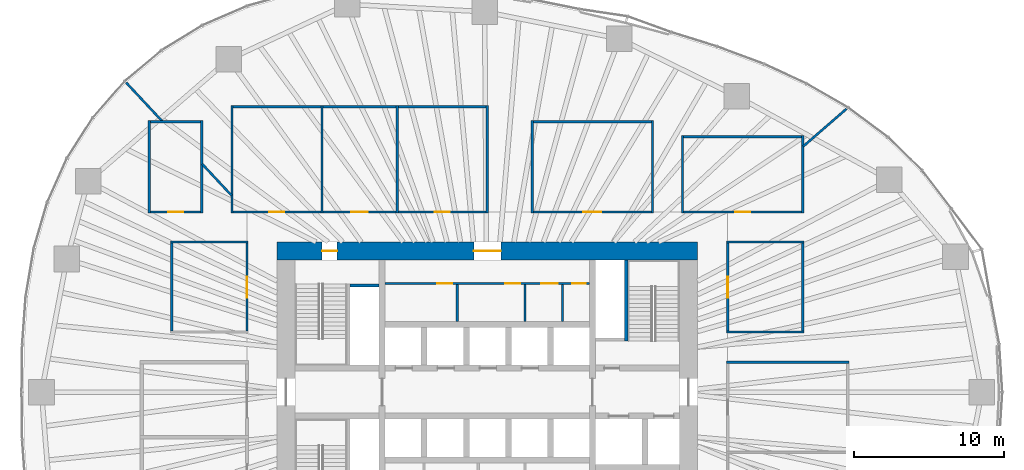
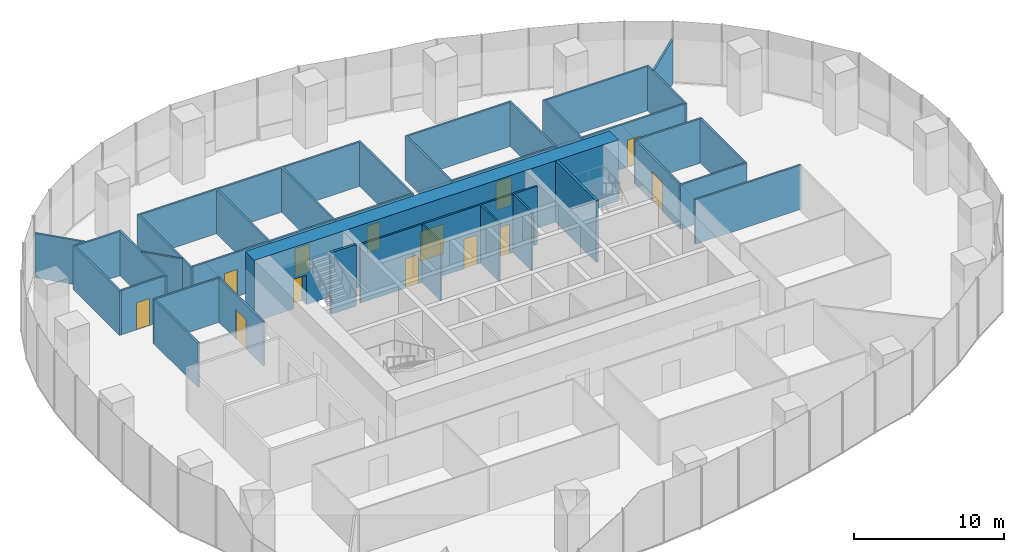
# One storey, part 11 of 20: 40 walls, 14 doors, 14 openings.
"""IFC4 building model written with IfcOpenShell, lengths in metres."""

from ifc_helpers import new_model, si_unit, direction, frame, frame_2d, origin, place, context, subcontext, project, spatial, rectangle, extrude, material, layer, layer_set, type_object, element, fill, save


model = new_model("IFC4")

# Units and contexts
model_context = context("Model", 3, precision=1e-05, world=origin(), true_north=direction((0.0, 1.0)))
body_context = subcontext(model_context, "Body", "Model", "MODEL_VIEW")
ifc_project = project(units=[si_unit("LENGTHUNIT", "METRE"), si_unit("AREAUNIT", "SQUARE_METRE"), si_unit("VOLUMEUNIT", "CUBIC_METRE"), si_unit("PLANEANGLEUNIT", "RADIAN"), si_unit("MASSUNIT", "GRAM", prefix="KILO")], contexts=[model_context])

# Site, building, storey
site_placement = place(None, origin())
site = spatial("IfcSite", under=ifc_project, at=site_placement, CompositionType="ELEMENT")
building_placement = place(site_placement, origin())
building = spatial("IfcBuilding", under=site, at=building_placement, Name="Ghaith Harvest Tower", CompositionType="ELEMENT")
storey_placement = place(building_placement, frame((0.0, 0.0, 85.0)))
storey = spatial("IfcBuildingStorey", under=building, at=storey_placement, Name="L17", CompositionType="ELEMENT", Elevation=85.0)

# Wall, openings, doors
ifc_material_1 = material(Name="Concrete blockwork, fair-faced", Category="masonry")
ifc_layer_1 = layer(ifc_material_1, 0.139892578125)
ifc_layer_set_1 = layer_set([ifc_layer_1], Name="CORE PARTITION 140")
wall_type_1 = type_object("IfcWallType", Name="CORE PARTITION 140", PredefinedType="PARTITIONING", material=ifc_layer_set_1)
wall_1_placement = place(storey_placement, frame((-6.800048828125, 7.22998046875, 0.0), z_axis=(0.0, 0.0, 1.0), x_axis=(1.0, 0.0, 0.0)))
wall_1 = element("IfcWall", 1, at=wall_1_placement, inside=storey, type_object=wall_type_1, Name="Core partition L17", PredefinedType="PARTITIONING", context=body_context, shape_type="SweptSolid", body=[
    extrude(rectangle(XDim=13.60009765625, YDim=0.139892578125, at=frame_2d((6.800048828125, 0.0))), origin(), (0.0, 0.0, 1.0), 4.75),
])
opening_1_placement = place(wall_1_placement, frame((3.47998046875, 0.0, 0.0)))
opening_1 = element("IfcOpeningElement", 2, at=opening_1_placement, cuts=wall_1, Name="Opening 17-008", PredefinedType="OPENING", context=body_context, shape_type="SweptSolid", body=[
    extrude(rectangle(XDim=1.0, YDim=2.39990234375, at=frame_2d((0.5, 1.199951171875))), frame((0.0, 0.080078125, 0.0), z_axis=(0.0, -1.0, 0.0), x_axis=(1.0, 0.0, 0.0)), (0.0, 0.0, 1.0), 0.159912109375),
])
opening_2_placement = place(wall_1_placement, frame((7.97998046875, 0.0, 0.0)))
opening_2 = element("IfcOpeningElement", 3, at=opening_2_placement, cuts=wall_1, Name="Opening 17-009", PredefinedType="OPENING", context=body_context, shape_type="SweptSolid", body=[
    extrude(rectangle(XDim=1.0, YDim=2.39990234375, at=frame_2d((0.5, 1.199951171875))), frame((0.0, 0.080078125, 0.0), z_axis=(0.0, -1.0, 0.0), x_axis=(1.0, 0.0, 0.0)), (0.0, 0.0, 1.0), 0.159912109375),
])
opening_3_placement = place(wall_1_placement, frame((10.3798828125, 0.0, 0.0)))
opening_3 = element("IfcOpeningElement", 4, at=opening_3_placement, cuts=wall_1, Name="Opening 17-010", PredefinedType="OPENING", context=body_context, shape_type="SweptSolid", body=[
    extrude(rectangle(XDim=1.10009765625, YDim=2.39990234375, at=frame_2d((0.550048828125, 1.199951171875))), frame((0.0, 0.080078125, 0.0), z_axis=(0.0, -1.0, 0.0), x_axis=(1.0, 0.0, 0.0)), (0.0, 0.0, 1.0), 0.159912109375),
])
opening_4_placement = place(wall_1_placement, frame((12.449951171875, 0.0, 0.0)))
opening_4 = element("IfcOpeningElement", 5, at=opening_4_placement, cuts=wall_1, Name="Opening 17-011", PredefinedType="OPENING", context=body_context, shape_type="SweptSolid", body=[
    extrude(rectangle(XDim=0.89990234375, YDim=2.39990234375, at=frame_2d((0.449951171875, 1.199951171875))), frame((0.0, 0.080078125, 0.0), z_axis=(0.0, -1.0, 0.0), x_axis=(1.0, 0.0, 0.0)), (0.0, 0.0, 1.0), 0.159912109375),
])
ifc_material_2 = material(Name="Steel fire door", Category="steel")
door_type_1 = type_object("IfcDoorType", Name="D3 FD90 1000x2400", OperationType="SINGLE_SWING_LEFT", PredefinedType="DOOR", material=ifc_material_2)
door_1_placement = place(opening_1_placement, origin())
door_1 = element("IfcDoor", 6, at=door_1_placement, inside=storey, type_object=door_type_1, Name="Male WC door", OperationType="SINGLE_SWING_LEFT", OverallHeight=2.39990234375, OverallWidth=1.0, PredefinedType="DOOR", context=body_context, shape_type="SweptSolid", body=[
    extrude(rectangle(XDim=1.0, YDim=2.39990234375, at=frame_2d((0.5, 1.199951171875))), frame((0.0, 0.02490234375, 0.0), z_axis=(0.0, -1.0, 0.0), x_axis=(1.0, 0.0, 0.0)), (0.0, 0.0, 1.0), 0.050048828125),
])
fill(opening_1, door_1)
door_2_placement = place(opening_2_placement, origin())
door_2 = element("IfcDoor", 7, at=door_2_placement, inside=storey, type_object=door_type_1, Name="Female WC door", OperationType="SINGLE_SWING_RIGHT", OverallHeight=2.39990234375, OverallWidth=1.0, PredefinedType="DOOR", context=body_context, shape_type="SweptSolid", body=[
    extrude(rectangle(XDim=1.0, YDim=2.39990234375, at=frame_2d((0.5, 1.199951171875))), frame((0.0, 0.02490234375, 0.0), z_axis=(0.0, -1.0, 0.0), x_axis=(1.0, 0.0, 0.0)), (0.0, 0.0, 1.0), 0.050048828125),
])
fill(opening_2, door_2)
ifc_material_3 = material(Name="Steel fire door", Category="steel")
door_type_2 = type_object("IfcDoorType", Name="D5 FD90 900x2400", OperationType="SINGLE_SWING_LEFT", PredefinedType="DOOR", material=ifc_material_3)
door_3_placement = place(opening_4_placement, origin())
door_3 = element("IfcDoor", 8, at=door_3_placement, inside=storey, type_object=door_type_2, Name="Cleaner's store door", OperationType="SINGLE_SWING_RIGHT", OverallHeight=2.39990234375, OverallWidth=0.89990234375, PredefinedType="DOOR", context=body_context, shape_type="SweptSolid", body=[
    extrude(rectangle(XDim=0.89990234375, YDim=2.39990234375, at=frame_2d((0.449951171875, 1.199951171875))), frame((0.0, 0.02490234375, 0.0), z_axis=(0.0, -1.0, 0.0), x_axis=(1.0, 0.0, 0.0)), (0.0, 0.0, 1.0), 0.050048828125),
])
fill(opening_4, door_3)
ifc_material_4 = material(Name="Steel fire door", Category="steel")
door_type_3 = type_object("IfcDoorType", Name="D9 FD90 1100x2400", OperationType="SINGLE_SWING_LEFT", PredefinedType="DOOR", material=ifc_material_4)
door_4_placement = place(opening_3_placement, origin())
door_4 = element("IfcDoor", 9, at=door_4_placement, inside=storey, type_object=door_type_3, Name="Accessible WC door", OperationType="SINGLE_SWING_RIGHT", OverallHeight=2.39990234375, OverallWidth=1.10009765625, PredefinedType="DOOR", context=body_context, shape_type="SweptSolid", body=[
    extrude(rectangle(XDim=1.10009765625, YDim=2.39990234375, at=frame_2d((0.550048828125, 1.199951171875))), frame((0.0, 0.02490234375, 0.0), z_axis=(0.0, -1.0, 0.0), x_axis=(1.0, 0.0, 0.0)), (0.0, 0.0, 1.0), 0.050048828125),
])
fill(opening_3, door_4)

# Walls
for number, where, z_axis, x_axis, name in (
    (10, (-2.0, 4.699951171875, 0.0), (0.0, 0.0, 1.0), (0.0, 1.0, 0.0), "Core partition L17"),
    (11, (2.5, 4.699951171875, 0.0), (0.0, 0.0, 1.0), (0.0, 1.0, 0.0), "Core partition L17"),
    (12, (5.0, 4.699951171875, 0.0), (0.0, 0.0, 1.0), (0.0, 1.0, 0.0), "Core partition L17"),
):
    element("IfcWall", number, at=place(storey_placement, frame(where, z_axis=z_axis, x_axis=x_axis)), inside=storey, type_object=wall_type_1, Name=name, PredefinedType="PARTITIONING", context=body_context, shape_type="SweptSolid", body=[
        extrude(rectangle(XDim=2.4599609375, YDim=0.139892578125, at=frame_2d((1.22998046875, 0.0))), origin(), (0.0, 0.0, 1.0), 4.75),
    ])

# Wall, openings, doors
ifc_material_5 = material(Name="Concrete C70/85", Category="concrete")
ifc_layer_2 = layer(ifc_material_5, 1.199951171875)
ifc_layer_set_2 = layer_set([ifc_layer_2], Name="CORE WALL CW1200")
wall_type_2 = type_object("IfcWallType", Name="CORE WALL CW1200", PredefinedType="SHEAR", material=ifc_layer_set_2)
wall_2_placement = place(storey_placement, frame((14.0, 9.39990234375, 0.0), z_axis=(0.0, 0.0, 1.0), x_axis=(-1.0, 0.0, 0.0)))
wall_2 = element("IfcWall", 13, at=wall_2_placement, inside=storey, type_object=wall_type_2, Name="Core wall N L17", PredefinedType="SHEAR", context=body_context, shape_type="SweptSolid", body=[
    extrude(rectangle(XDim=28.0, YDim=1.199951171875, at=frame_2d((14.0, 0.0))), origin(), (0.0, 0.0, 1.0), 5.0),
])
opening_5_placement = place(wall_2_placement, frame((24.0, 0.0, 0.0)))
opening_5 = element("IfcOpeningElement", 14, at=opening_5_placement, cuts=wall_2, Name="Opening 17-005", PredefinedType="OPENING", context=body_context, shape_type="SweptSolid", body=[
    extrude(rectangle(XDim=1.0, YDim=2.39990234375, at=frame_2d((0.5, 1.199951171875))), frame((0.0, 0.60986328125, 0.0), z_axis=(0.0, -1.0, 0.0), x_axis=(1.0, 0.0, 0.0)), (0.0, 0.0, 1.0), 1.219970703125),
])
opening_6_placement = place(wall_2_placement, frame((13.10009765625, 0.0, 0.0)))
opening_6 = element("IfcOpeningElement", 15, at=opening_6_placement, cuts=wall_2, Name="Opening 17-016", PredefinedType="OPENING", context=body_context, shape_type="SweptSolid", body=[
    extrude(rectangle(XDim=1.800048828125, YDim=2.39990234375, at=frame_2d((0.89990234375, 1.199951171875))), frame((0.0, 0.60986328125, 0.0), z_axis=(0.0, -1.0, 0.0), x_axis=(1.0, 0.0, 0.0)), (0.0, 0.0, 1.0), 1.219970703125),
])
door_5_placement = place(opening_5_placement, origin())
door_5 = element("IfcDoor", 16, at=door_5_placement, inside=storey, type_object=door_type_1, Name="Stair ST1 door", OperationType="SINGLE_SWING_RIGHT", OverallHeight=2.39990234375, OverallWidth=1.0, PredefinedType="DOOR", context=body_context, shape_type="SweptSolid", body=[
    extrude(rectangle(XDim=1.0, YDim=2.39990234375, at=frame_2d((0.5, 1.199951171875))), frame((0.0, 0.02490234375, 0.0), z_axis=(0.0, -1.0, 0.0), x_axis=(1.0, 0.0, 0.0)), (0.0, 0.0, 1.0), 0.050048828125),
])
fill(opening_5, door_5)
ifc_material_6 = material(Name="Steel fire door", Category="steel")
door_type_4 = type_object("IfcDoorType", Name="D4 FD90 PAIR 1800x2400", OperationType="DOUBLE_DOOR_SINGLE_SWING", PredefinedType="DOOR", material=ifc_material_6)
door_6_placement = place(opening_6_placement, origin())
door_6 = element("IfcDoor", 17, at=door_6_placement, inside=storey, type_object=door_type_4, Name="Core service corridor doors", OperationType="DOUBLE_DOOR_SINGLE_SWING", OverallHeight=2.39990234375, OverallWidth=1.800048828125, PredefinedType="DOOR", context=body_context, shape_type="SweptSolid", body=[
    extrude(rectangle(XDim=1.800048828125, YDim=2.39990234375, at=frame_2d((0.89990234375, 1.199951171875))), frame((0.0, 0.02490234375, 0.0), z_axis=(0.0, -1.0, 0.0), x_axis=(1.0, 0.0, 0.0)), (0.0, 0.0, 1.0), 0.050048828125),
])
fill(opening_6, door_6)

# Walls
ifc_material_7 = material(Name="Gypsum board on steel studs", Category="steel")
ifc_layer_3 = layer(ifc_material_7, 0.14990234375)
ifc_layer_set_3 = layer_set([ifc_layer_3], Name="PARTITION 150")
wall_type_3 = type_object("IfcWallType", Name="PARTITION 150", PredefinedType="PARTITIONING", material=ifc_layer_set_3)
wall_3_placement = place(storey_placement, frame((15.925048828125, 2.0, 0.0), z_axis=(0.0, 0.0, 1.0), x_axis=(1.0, 0.0, 0.0)))
element("IfcWall", 18, at=wall_3_placement, inside=storey, type_object=wall_type_3, Name="Partition L17 row E3 cross wall 3", PredefinedType="PARTITIONING", context=body_context, shape_type="SweptSolid", body=[
    extrude(rectangle(XDim=8.14990234375, YDim=0.14990234375, at=frame_2d((4.074951171875, 0.0))), origin(), (0.0, 0.0, 1.0), 3.60009765625),
])
for number, where, z_axis, x_axis, name in (
    (19, (-17.0, 11.925048828125, 0.0), (0.0, 0.0, 1.0), (0.0, 1.0, 0.0), "Partition L17 row N4 cross wall 1"),
    (20, (-11.0, 11.925048828125, 0.0), (0.0, 0.0, 1.0), (0.0, 1.0, 0.0), "Partition L17 row N4 cross wall 2"),
    (21, (-6.0, 11.925048828125, 0.0), (0.0, 0.0, 1.0), (0.0, 1.0, 0.0), "Partition L17 row N4 cross wall 3"),
    (22, (0.0, 11.925048828125, 0.0), (0.0, 0.0, 1.0), (0.0, 1.0, 0.0), "Partition L17 row N4 cross wall 4"),
):
    element("IfcWall", number, at=place(storey_placement, frame(where, z_axis=z_axis, x_axis=x_axis)), inside=storey, type_object=wall_type_3, Name=name, PredefinedType="PARTITIONING", context=body_context, shape_type="SweptSolid", body=[
        extrude(rectangle(XDim=7.14990234375, YDim=0.14990234375, at=frame_2d((3.574951171875, 0.0))), origin(), (0.0, 0.0, 1.0), 3.60009765625),
    ])

# Wall, opening, door
wall_4_placement = place(storey_placement, frame((-16.925048828125, 12.0, 0.0), z_axis=(0.0, 0.0, 1.0), x_axis=(1.0, 0.0, 0.0)))
wall_4 = element("IfcWall", 23, at=wall_4_placement, inside=storey, type_object=wall_type_3, Name="Partition L17-07", PredefinedType="PARTITIONING", context=body_context, shape_type="SweptSolid", body=[
    extrude(rectangle(XDim=5.85009765625, YDim=0.14990234375, at=frame_2d((2.925048828125, 0.0))), origin(), (0.0, 0.0, 1.0), 3.60009765625),
])
opening_7_placement = place(wall_4_placement, frame((2.425048828125, 0.0, 0.0)))
opening_7 = element("IfcOpeningElement", 24, at=opening_7_placement, cuts=wall_4, Name="Opening 17-031", PredefinedType="OPENING", context=body_context, shape_type="SweptSolid", body=[
    extrude(rectangle(XDim=1.0, YDim=2.199951171875, at=frame_2d((0.5, 1.10009765625))), frame((0.0, 0.0849609375, 0.0), z_axis=(0.0, -1.0, 0.0), x_axis=(1.0, 0.0, 0.0)), (0.0, 0.0, 1.0), 0.169921875),
])
ifc_material_8 = material(Name="Timber door", Category="wood")
door_type_5 = type_object("IfcDoorType", Name="D1 SINGLE 1000x2200", OperationType="SINGLE_SWING_LEFT", PredefinedType="DOOR", material=ifc_material_8)
door_7_placement = place(opening_7_placement, origin())
door_7 = element("IfcDoor", 25, at=door_7_placement, inside=storey, type_object=door_type_5, Name="Pollination room door", OperationType="SINGLE_SWING_LEFT", OverallHeight=2.199951171875, OverallWidth=1.0, PredefinedType="DOOR", context=body_context, shape_type="SweptSolid", body=[
    extrude(rectangle(XDim=1.0, YDim=2.199951171875, at=frame_2d((0.5, 1.10009765625))), frame((0.0, 0.02490234375, 0.0), z_axis=(0.0, -1.0, 0.0), x_axis=(1.0, 0.0, 0.0)), (0.0, 0.0, 1.0), 0.050048828125),
])
fill(opening_7, door_7)

# Wall
wall_5_placement = place(storey_placement, frame((-16.925048828125, 19.0, 0.0), z_axis=(0.0, 0.0, 1.0), x_axis=(1.0, 0.0, 0.0)))
element("IfcWall", 26, at=wall_5_placement, inside=storey, type_object=wall_type_3, Name="Partition L17-07", PredefinedType="PARTITIONING", context=body_context, shape_type="SweptSolid", body=[
    extrude(rectangle(XDim=5.85009765625, YDim=0.14990234375, at=frame_2d((2.925048828125, 0.0))), origin(), (0.0, 0.0, 1.0), 3.60009765625),
])

# Wall, opening, door
wall_6_placement = place(storey_placement, frame((-10.925048828125, 12.0, 0.0), z_axis=(0.0, 0.0, 1.0), x_axis=(1.0, 0.0, 0.0)))
wall_6 = element("IfcWall", 27, at=wall_6_placement, inside=storey, type_object=wall_type_3, Name="Partition L17-08", PredefinedType="PARTITIONING", context=body_context, shape_type="SweptSolid", body=[
    extrude(rectangle(XDim=4.85009765625, YDim=0.14990234375, at=frame_2d((2.425048828125, 0.0))), origin(), (0.0, 0.0, 1.0), 3.60009765625),
])
opening_8_placement = place(wall_6_placement, frame((1.875, 0.0, 0.0)))
opening_8 = element("IfcOpeningElement", 28, at=opening_8_placement, cuts=wall_6, Name="Opening 17-032", PredefinedType="OPENING", context=body_context, shape_type="SweptSolid", body=[
    extrude(rectangle(XDim=1.10009765625, YDim=2.300048828125, at=frame_2d((0.550048828125, 1.14990234375))), frame((0.0, 0.0849609375, 0.0), z_axis=(0.0, -1.0, 0.0), x_axis=(1.0, 0.0, 0.0)), (0.0, 0.0, 1.0), 0.169921875),
])
ifc_material_9 = material(Name="Timber-framed glazed door", Category="wood")
door_type_6 = type_object("IfcDoorType", Name="D12 GLAZED OFFICE 1100x2300", OperationType="SINGLE_SWING_LEFT", PredefinedType="DOOR", material=ifc_material_9)
door_8_placement = place(opening_8_placement, origin())
door_8 = element("IfcDoor", 29, at=door_8_placement, inside=storey, type_object=door_type_6, Name="Crop office door", OperationType="SINGLE_SWING_LEFT", OverallHeight=2.300048828125, OverallWidth=1.10009765625, PredefinedType="DOOR", context=body_context, shape_type="SweptSolid", body=[
    extrude(rectangle(XDim=1.10009765625, YDim=2.300048828125, at=frame_2d((0.550048828125, 1.14990234375))), frame((0.0, 0.02490234375, 0.0), z_axis=(0.0, -1.0, 0.0), x_axis=(1.0, 0.0, 0.0)), (0.0, 0.0, 1.0), 0.050048828125),
])
fill(opening_8, door_8)

# Wall
wall_7_placement = place(storey_placement, frame((-10.925048828125, 19.0, 0.0), z_axis=(0.0, 0.0, 1.0), x_axis=(1.0, 0.0, 0.0)))
element("IfcWall", 30, at=wall_7_placement, inside=storey, type_object=wall_type_3, Name="Partition L17-08", PredefinedType="PARTITIONING", context=body_context, shape_type="SweptSolid", body=[
    extrude(rectangle(XDim=4.85009765625, YDim=0.14990234375, at=frame_2d((2.425048828125, 0.0))), origin(), (0.0, 0.0, 1.0), 3.60009765625),
])

# Wall, opening, door
wall_8_placement = place(storey_placement, frame((-5.925048828125, 12.0, 0.0), z_axis=(0.0, 0.0, 1.0), x_axis=(1.0, 0.0, 0.0)))
wall_8 = element("IfcWall", 31, at=wall_8_placement, inside=storey, type_object=wall_type_3, Name="Partition L17-09", PredefinedType="PARTITIONING", context=body_context, shape_type="SweptSolid", body=[
    extrude(rectangle(XDim=5.85009765625, YDim=0.14990234375, at=frame_2d((2.925048828125, 0.0))), origin(), (0.0, 0.0, 1.0), 3.60009765625),
])
opening_9_placement = place(wall_8_placement, frame((2.425048828125, 0.0, 0.0)))
opening_9 = element("IfcOpeningElement", 32, at=opening_9_placement, cuts=wall_8, Name="Opening 17-033", PredefinedType="OPENING", context=body_context, shape_type="SweptSolid", body=[
    extrude(rectangle(XDim=1.0, YDim=2.199951171875, at=frame_2d((0.5, 1.10009765625))), frame((0.0, 0.0849609375, 0.0), z_axis=(0.0, -1.0, 0.0), x_axis=(1.0, 0.0, 0.0)), (0.0, 0.0, 1.0), 0.169921875),
])
door_9_placement = place(opening_9_placement, origin())
door_9 = element("IfcDoor", 33, at=door_9_placement, inside=storey, type_object=door_type_5, Name="Staff room door", OperationType="SINGLE_SWING_LEFT", OverallHeight=2.199951171875, OverallWidth=1.0, PredefinedType="DOOR", context=body_context, shape_type="SweptSolid", body=[
    extrude(rectangle(XDim=1.0, YDim=2.199951171875, at=frame_2d((0.5, 1.10009765625))), frame((0.0, 0.02490234375, 0.0), z_axis=(0.0, -1.0, 0.0), x_axis=(1.0, 0.0, 0.0)), (0.0, 0.0, 1.0), 0.050048828125),
])
fill(opening_9, door_9)

# Walls
wall_9_placement = place(storey_placement, frame((-5.925048828125, 19.0, 0.0), z_axis=(0.0, 0.0, 1.0), x_axis=(1.0, 0.0, 0.0)))
element("IfcWall", 34, at=wall_9_placement, inside=storey, type_object=wall_type_3, Name="Partition L17-09", PredefinedType="PARTITIONING", context=body_context, shape_type="SweptSolid", body=[
    extrude(rectangle(XDim=5.85009765625, YDim=0.14990234375, at=frame_2d((2.925048828125, 0.0))), origin(), (0.0, 0.0, 1.0), 3.60009765625),
])
for number, where, z_axis, x_axis, name in (
    (35, (3.0, 11.925048828125, 0.0), (0.0, 0.0, 1.0), (0.0, 1.0, 0.0), "Partition L17 row N5 cross wall 1"),
    (36, (11.0, 11.925048828125, 0.0), (0.0, 0.0, 1.0), (0.0, 1.0, 0.0), "Partition L17 row N5 cross wall 2"),
):
    element("IfcWall", number, at=place(storey_placement, frame(where, z_axis=z_axis, x_axis=x_axis)), inside=storey, type_object=wall_type_3, Name=name, PredefinedType="PARTITIONING", context=body_context, shape_type="SweptSolid", body=[
        extrude(rectangle(XDim=6.14990234375, YDim=0.14990234375, at=frame_2d((3.074951171875, 0.0))), origin(), (0.0, 0.0, 1.0), 3.60009765625),
    ])

# Wall, opening, door
wall_10_placement = place(storey_placement, frame((3.074951171875, 12.0, 0.0), z_axis=(0.0, 0.0, 1.0), x_axis=(1.0, 0.0, 0.0)))
wall_10 = element("IfcWall", 37, at=wall_10_placement, inside=storey, type_object=wall_type_3, Name="Partition L17-10", PredefinedType="PARTITIONING", context=body_context, shape_type="SweptSolid", body=[
    extrude(rectangle(XDim=7.85009765625, YDim=0.14990234375, at=frame_2d((3.925048828125, 0.0))), origin(), (0.0, 0.0, 1.0), 3.60009765625),
])
opening_10_placement = place(wall_10_placement, frame((3.324951171875, 0.0, 0.0)))
opening_10 = element("IfcOpeningElement", 38, at=opening_10_placement, cuts=wall_10, Name="Opening 17-034", PredefinedType="OPENING", context=body_context, shape_type="SweptSolid", body=[
    extrude(rectangle(XDim=1.199951171875, YDim=2.300048828125, at=frame_2d((0.60009765625, 1.14990234375))), frame((0.0, 0.0849609375, 0.0), z_axis=(0.0, -1.0, 0.0), x_axis=(1.0, 0.0, 0.0)), (0.0, 0.0, 1.0), 0.169921875),
])
ifc_material_10 = material(Name="Timber door with vision panel", Category="wood")
door_type_7 = type_object("IfcDoorType", Name="D15 LABORATORY 1200x2300", OperationType="SINGLE_SWING_LEFT", PredefinedType="DOOR", material=ifc_material_10)
door_10_placement = place(opening_10_placement, origin())
door_10 = element("IfcDoor", 39, at=door_10_placement, inside=storey, type_object=door_type_7, Name="Quality laboratory door", OperationType="SINGLE_SWING_LEFT", OverallHeight=2.300048828125, OverallWidth=1.199951171875, PredefinedType="DOOR", context=body_context, shape_type="SweptSolid", body=[
    extrude(rectangle(XDim=1.199951171875, YDim=2.300048828125, at=frame_2d((0.60009765625, 1.14990234375))), frame((0.0, 0.02490234375, 0.0), z_axis=(0.0, -1.0, 0.0), x_axis=(1.0, 0.0, 0.0)), (0.0, 0.0, 1.0), 0.050048828125),
])
fill(opening_10, door_10)

# Walls
wall_11_placement = place(storey_placement, frame((3.074951171875, 18.0, 0.0), z_axis=(0.0, 0.0, 1.0), x_axis=(1.0, 0.0, 0.0)))
element("IfcWall", 40, at=wall_11_placement, inside=storey, type_object=wall_type_3, Name="Partition L17-10", PredefinedType="PARTITIONING", context=body_context, shape_type="SweptSolid", body=[
    extrude(rectangle(XDim=7.85009765625, YDim=0.14990234375, at=frame_2d((3.925048828125, 0.0))), origin(), (0.0, 0.0, 1.0), 3.60009765625),
])
for number, where, z_axis, x_axis, name in (
    (41, (13.0, 11.925048828125, 0.0), (0.0, 0.0, 1.0), (0.0, 1.0, 0.0), "Partition L17 row N7 cross wall 1"),
    (42, (21.0, 11.925048828125, 0.0), (0.0, 0.0, 1.0), (0.0, 1.0, 0.0), "Partition L17 row N7 cross wall 2"),
):
    element("IfcWall", number, at=place(storey_placement, frame(where, z_axis=z_axis, x_axis=x_axis)), inside=storey, type_object=wall_type_3, Name=name, PredefinedType="PARTITIONING", context=body_context, shape_type="SweptSolid", body=[
        extrude(rectangle(XDim=5.14990234375, YDim=0.14990234375, at=frame_2d((2.574951171875, 0.0))), origin(), (0.0, 0.0, 1.0), 3.60009765625),
    ])

# Wall, opening, door
wall_12_placement = place(storey_placement, frame((13.074951171875, 12.0, 0.0), z_axis=(0.0, 0.0, 1.0), x_axis=(1.0, 0.0, 0.0)))
wall_12 = element("IfcWall", 43, at=wall_12_placement, inside=storey, type_object=wall_type_3, Name="Partition L17-13", PredefinedType="PARTITIONING", context=body_context, shape_type="SweptSolid", body=[
    extrude(rectangle(XDim=7.85009765625, YDim=0.14990234375, at=frame_2d((3.925048828125, 0.0))), origin(), (0.0, 0.0, 1.0), 3.60009765625),
])
opening_11_placement = place(wall_12_placement, frame((3.425048828125, 0.0, 0.0)))
opening_11 = element("IfcOpeningElement", 44, at=opening_11_placement, cuts=wall_12, Name="Opening 17-037", PredefinedType="OPENING", context=body_context, shape_type="SweptSolid", body=[
    extrude(rectangle(XDim=1.0, YDim=2.199951171875, at=frame_2d((0.5, 1.10009765625))), frame((0.0, 0.0849609375, 0.0), z_axis=(0.0, -1.0, 0.0), x_axis=(1.0, 0.0, 0.0)), (0.0, 0.0, 1.0), 0.169921875),
])
door_11_placement = place(opening_11_placement, origin())
door_11 = element("IfcDoor", 45, at=door_11_placement, inside=storey, type_object=door_type_5, Name="Seedling room door", OperationType="SINGLE_SWING_LEFT", OverallHeight=2.199951171875, OverallWidth=1.0, PredefinedType="DOOR", context=body_context, shape_type="SweptSolid", body=[
    extrude(rectangle(XDim=1.0, YDim=2.199951171875, at=frame_2d((0.5, 1.10009765625))), frame((0.0, 0.02490234375, 0.0), z_axis=(0.0, -1.0, 0.0), x_axis=(1.0, 0.0, 0.0)), (0.0, 0.0, 1.0), 0.050048828125),
])
fill(opening_11, door_11)

# Walls
wall_13_placement = place(storey_placement, frame((13.074951171875, 17.0, 0.0), z_axis=(0.0, 0.0, 1.0), x_axis=(1.0, 0.0, 0.0)))
element("IfcWall", 46, at=wall_13_placement, inside=storey, type_object=wall_type_3, Name="Partition L17-13", PredefinedType="PARTITIONING", context=body_context, shape_type="SweptSolid", body=[
    extrude(rectangle(XDim=7.85009765625, YDim=0.14990234375, at=frame_2d((3.925048828125, 0.0))), origin(), (0.0, 0.0, 1.0), 3.60009765625),
])
for number, where, z_axis, x_axis, name in (
    (47, (-22.5, 11.925048828125, 0.0), (0.0, 0.0, 1.0), (0.0, 1.0, 0.0), "Partition L17 row N8 cross wall 1"),
    (48, (-19.0, 11.925048828125, 0.0), (0.0, 0.0, 1.0), (0.0, 1.0, 0.0), "Partition L17 row N8 cross wall 2"),
):
    element("IfcWall", number, at=place(storey_placement, frame(where, z_axis=z_axis, x_axis=x_axis)), inside=storey, type_object=wall_type_3, Name=name, PredefinedType="PARTITIONING", context=body_context, shape_type="SweptSolid", body=[
        extrude(rectangle(XDim=6.14990234375, YDim=0.14990234375, at=frame_2d((3.074951171875, 0.0))), origin(), (0.0, 0.0, 1.0), 3.60009765625),
    ])

# Wall, opening, door
wall_14_placement = place(storey_placement, frame((-22.425048828125, 12.0, 0.0), z_axis=(0.0, 0.0, 1.0), x_axis=(1.0, 0.0, 0.0)))
wall_14 = element("IfcWall", 49, at=wall_14_placement, inside=storey, type_object=wall_type_3, Name="Partition L17-14", PredefinedType="PARTITIONING", context=body_context, shape_type="SweptSolid", body=[
    extrude(rectangle(XDim=3.35009765625, YDim=0.14990234375, at=frame_2d((1.675048828125, 0.0))), origin(), (0.0, 0.0, 1.0), 3.60009765625),
])
opening_12_placement = place(wall_14_placement, frame((1.175048828125, 0.0, 0.0)))
opening_12 = element("IfcOpeningElement", 50, at=opening_12_placement, cuts=wall_14, Name="Opening 17-038", PredefinedType="OPENING", context=body_context, shape_type="SweptSolid", body=[
    extrude(rectangle(XDim=1.0, YDim=2.199951171875, at=frame_2d((0.5, 1.10009765625))), frame((0.0, 0.0849609375, 0.0), z_axis=(0.0, -1.0, 0.0), x_axis=(1.0, 0.0, 0.0)), (0.0, 0.0, 1.0), 0.169921875),
])
door_12_placement = place(opening_12_placement, origin())
door_12 = element("IfcDoor", 51, at=door_12_placement, inside=storey, type_object=door_type_5, Name="Store door", OperationType="SINGLE_SWING_LEFT", OverallHeight=2.199951171875, OverallWidth=1.0, PredefinedType="DOOR", context=body_context, shape_type="SweptSolid", body=[
    extrude(rectangle(XDim=1.0, YDim=2.199951171875, at=frame_2d((0.5, 1.10009765625))), frame((0.0, 0.02490234375, 0.0), z_axis=(0.0, -1.0, 0.0), x_axis=(1.0, 0.0, 0.0)), (0.0, 0.0, 1.0), 0.050048828125),
])
fill(opening_12, door_12)

# Walls
wall_15_placement = place(storey_placement, frame((-22.425048828125, 18.0, 0.0), z_axis=(0.0, 0.0, 1.0), x_axis=(1.0, 0.0, 0.0)))
element("IfcWall", 52, at=wall_15_placement, inside=storey, type_object=wall_type_3, Name="Partition L17-14", PredefinedType="PARTITIONING", context=body_context, shape_type="SweptSolid", body=[
    extrude(rectangle(XDim=3.35009765625, YDim=0.14990234375, at=frame_2d((1.675048828125, 0.0))), origin(), (0.0, 0.0, 1.0), 3.60009765625),
])
for number, where, z_axis, x_axis, name in (
    (53, (15.925048828125, 4.0, 0.0), (0.0, 0.0, 1.0), (1.0, 0.0, 0.0), "Partition L17 row E9 cross wall 1"),
    (54, (15.925048828125, 10.0, 0.0), (0.0, 0.0, 1.0), (1.0, 0.0, 0.0), "Partition L17 row E9 cross wall 2"),
):
    element("IfcWall", number, at=place(storey_placement, frame(where, z_axis=z_axis, x_axis=x_axis)), inside=storey, type_object=wall_type_3, Name=name, PredefinedType="PARTITIONING", context=body_context, shape_type="SweptSolid", body=[
        extrude(rectangle(XDim=5.14990234375, YDim=0.14990234375, at=frame_2d((2.574951171875, 0.0))), origin(), (0.0, 0.0, 1.0), 3.60009765625),
    ])

# Wall, opening, door
wall_16_placement = place(storey_placement, frame((16.0, 4.074951171875, 0.0), z_axis=(0.0, 0.0, 1.0), x_axis=(0.0, 1.0, 0.0)))
wall_16 = element("IfcWall", 55, at=wall_16_placement, inside=storey, type_object=wall_type_3, Name="Partition L17-15", PredefinedType="PARTITIONING", context=body_context, shape_type="SweptSolid", body=[
    extrude(rectangle(XDim=5.85009765625, YDim=0.14990234375, at=frame_2d((2.925048828125, 0.0))), origin(), (0.0, 0.0, 1.0), 3.60009765625),
])
opening_13_placement = place(wall_16_placement, frame((2.22509765625, 0.0, 0.0)))
opening_13 = element("IfcOpeningElement", 56, at=opening_13_placement, cuts=wall_16, Name="Opening 17-039", PredefinedType="OPENING", context=body_context, shape_type="SweptSolid", body=[
    extrude(rectangle(XDim=1.39990234375, YDim=2.39990234375, at=frame_2d((0.699951171875, 1.199951171875))), frame((0.0, 0.0849609375, 0.0), z_axis=(0.0, -1.0, 0.0), x_axis=(1.0, 0.0, 0.0)), (0.0, 0.0, 1.0), 0.169921875),
])
ifc_material_11 = material(Name="Stainless steel faced door pair", Category="steel")
door_type_8 = type_object("IfcDoorType", Name="D14 HYGIENE PAIR 1400x2400", OperationType="DOUBLE_DOOR_DOUBLE_SWING", PredefinedType="DOOR", material=ifc_material_11)
door_13_placement = place(opening_13_placement, origin())
door_13 = element("IfcDoor", 57, at=door_13_placement, inside=storey, type_object=door_type_8, Name="Dispatch store door", OperationType="DOUBLE_DOOR_DOUBLE_SWING", OverallHeight=2.39990234375, OverallWidth=1.39990234375, PredefinedType="DOOR", context=body_context, shape_type="SweptSolid", body=[
    extrude(rectangle(XDim=1.39990234375, YDim=2.39990234375, at=frame_2d((0.699951171875, 1.199951171875))), frame((0.0, 0.02490234375, 0.0), z_axis=(0.0, -1.0, 0.0), x_axis=(1.0, 0.0, 0.0)), (0.0, 0.0, 1.0), 0.050048828125),
])
fill(opening_13, door_13)

# Walls
wall_17_placement = place(storey_placement, frame((21.0, 4.074951171875, 0.0), z_axis=(0.0, 0.0, 1.0), x_axis=(0.0, 1.0, 0.0)))
element("IfcWall", 58, at=wall_17_placement, inside=storey, type_object=wall_type_3, Name="Partition L17-15", PredefinedType="PARTITIONING", context=body_context, shape_type="SweptSolid", body=[
    extrude(rectangle(XDim=5.85009765625, YDim=0.14990234375, at=frame_2d((2.925048828125, 0.0))), origin(), (0.0, 0.0, 1.0), 3.60009765625),
])
wall_18_placement = place(storey_placement, frame((-15.925048828125, 10.0, 0.0), z_axis=(0.0, 0.0, 1.0), x_axis=(-1.0, 0.0, 0.0)))
element("IfcWall", 59, at=wall_18_placement, inside=storey, type_object=wall_type_3, Name="Partition L17 row W10 cross wall 2", PredefinedType="PARTITIONING", context=body_context, shape_type="SweptSolid", body=[
    extrude(rectangle(XDim=5.14990234375, YDim=0.14990234375, at=frame_2d((2.574951171875, 0.0))), origin(), (0.0, 0.0, 1.0), 3.60009765625),
])

# Wall, opening, door
wall_19_placement = place(storey_placement, frame((-16.0, 4.074951171875, 0.0), z_axis=(0.0, 0.0, 1.0), x_axis=(0.0, 1.0, 0.0)))
wall_19 = element("IfcWall", 60, at=wall_19_placement, inside=storey, type_object=wall_type_3, Name="Partition L17-16", PredefinedType="PARTITIONING", context=body_context, shape_type="SweptSolid", body=[
    extrude(rectangle(XDim=5.85009765625, YDim=0.14990234375, at=frame_2d((2.925048828125, 0.0))), origin(), (0.0, 0.0, 1.0), 3.60009765625),
])
opening_14_placement = place(wall_19_placement, frame((2.22509765625, 0.0, 0.0)))
opening_14 = element("IfcOpeningElement", 61, at=opening_14_placement, cuts=wall_19, Name="Opening 17-040", PredefinedType="OPENING", context=body_context, shape_type="SweptSolid", body=[
    extrude(rectangle(XDim=1.39990234375, YDim=2.39990234375, at=frame_2d((0.699951171875, 1.199951171875))), frame((0.0, 0.0849609375, 0.0), z_axis=(0.0, -1.0, 0.0), x_axis=(1.0, 0.0, 0.0)), (0.0, 0.0, 1.0), 0.169921875),
])
door_14_placement = place(opening_14_placement, origin())
door_14 = element("IfcDoor", 62, at=door_14_placement, inside=storey, type_object=door_type_8, Name="Tray wash room door", OperationType="DOUBLE_DOOR_DOUBLE_SWING", OverallHeight=2.39990234375, OverallWidth=1.39990234375, PredefinedType="DOOR", context=body_context, shape_type="SweptSolid", body=[
    extrude(rectangle(XDim=1.39990234375, YDim=2.39990234375, at=frame_2d((0.699951171875, 1.199951171875))), frame((0.0, 0.02490234375, 0.0), z_axis=(0.0, -1.0, 0.0), x_axis=(1.0, 0.0, 0.0)), (0.0, 0.0, 1.0), 0.050048828125),
])
fill(opening_14, door_14)

# Walls
wall_20_placement = place(storey_placement, frame((-21.0, 4.074951171875, 0.0), z_axis=(0.0, 0.0, 1.0), x_axis=(0.0, 1.0, 0.0)))
element("IfcWall", 63, at=wall_20_placement, inside=storey, type_object=wall_type_3, Name="Partition L17-16", PredefinedType="PARTITIONING", context=body_context, shape_type="SweptSolid", body=[
    extrude(rectangle(XDim=5.85009765625, YDim=0.14990234375, at=frame_2d((2.925048828125, 0.0))), origin(), (0.0, 0.0, 1.0), 3.60009765625),
])
wall_21_placement = place(storey_placement, frame((-21.621826171875, 18.02001953125, 0.0), z_axis=(0.0, 0.0, 1.0), x_axis=(-0.682522451791, 0.730864626864, 0.0)))
element("IfcWall", 64, at=wall_21_placement, inside=storey, type_object=wall_type_3, Name="Partition L17 zone division", PredefinedType="PARTITIONING", context=body_context, shape_type="SweptSolid", body=[
    extrude(rectangle(XDim=3.53515625, YDim=0.14990234375, at=frame_2d((1.767578125, 0.0))), origin(), (0.0, 0.0, 1.0), 3.60009765625),
])
wall_22_placement = place(storey_placement, frame((-17.02001953125, 13.09228515625, 0.0), z_axis=(0.0, 0.0, 1.0), x_axis=(-0.682506029746, 0.730879962347, 0.0)))
element("IfcWall", 65, at=wall_22_placement, inside=storey, type_object=wall_type_3, Name="Partition L17 zone division", PredefinedType="PARTITIONING", context=body_context, shape_type="SweptSolid", body=[
    extrude(rectangle(XDim=2.871826171875, YDim=0.14990234375, at=frame_2d((1.43603515625, 0.0))), origin(), (0.0, 0.0, 1.0), 3.60009765625),
])
wall_23_placement = place(storey_placement, frame((21.02001953125, 16.35400390625, 0.0), z_axis=(0.0, 0.0, 1.0), x_axis=(0.755425653008, 0.655234372402, 0.0)))
element("IfcWall", 66, at=wall_23_placement, inside=storey, type_object=wall_type_3, Name="Partition L17 zone division", PredefinedType="PARTITIONING", context=body_context, shape_type="SweptSolid", body=[
    extrude(rectangle(XDim=3.8232421875, YDim=0.14990234375, at=frame_2d((1.91162109375, 0.0))), origin(), (0.0, 0.0, 1.0), 3.60009765625),
])
ifc_material_12 = material(Name="Concrete C40/50", Category="concrete")
ifc_layer_4 = layer(ifc_material_12, 0.199951171875)
ifc_layer_set_4 = layer_set([ifc_layer_4], Name="STAIR SPINE WALL RC200")
wall_type_4 = type_object("IfcWallType", Name="STAIR SPINE WALL RC200", PredefinedType="SOLIDWALL", material=ifc_layer_set_4)
wall_24_placement = place(storey_placement, frame((-9.14990234375, 7.10009765625, 0.0), z_axis=(0.0, 0.0, 1.0), x_axis=(1.0, 0.0, 0.0)))
element("IfcWall", 67, at=wall_24_placement, inside=storey, type_object=wall_type_4, Name="Stair ST1 spine wall return L17", PredefinedType="SOLIDWALL", context=body_context, shape_type="SweptSolid", body=[
    extrude(rectangle(XDim=1.949951171875, YDim=0.199951171875, at=frame_2d((0.97509765625, 0.0))), origin(), (0.0, 0.0, 1.0), 5.0),
])
wall_25_placement = place(storey_placement, frame((9.25, 3.39990234375, 0.0), z_axis=(0.0, 0.0, 1.0), x_axis=(0.0, 1.0, 0.0)))
element("IfcWall", 68, at=wall_25_placement, inside=storey, type_object=wall_type_4, Name="Stair ST2 spine wall L17", PredefinedType="SOLIDWALL", context=body_context, shape_type="SweptSolid", body=[
    extrude(rectangle(XDim=5.400146484375, YDim=0.199951171875, at=frame_2d((2.7001953125, 0.0))), origin(), (0.0, 0.0, 1.0), 5.0),
])

save(model, "model.ifc")
